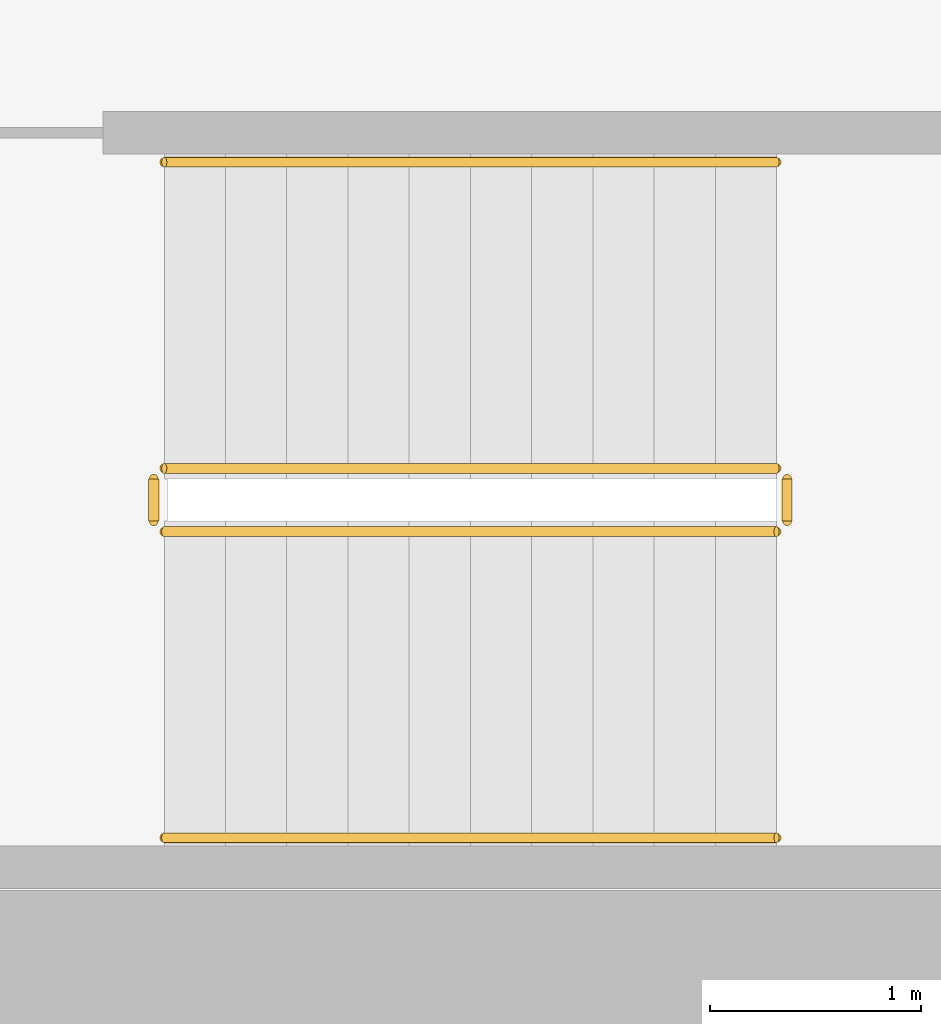
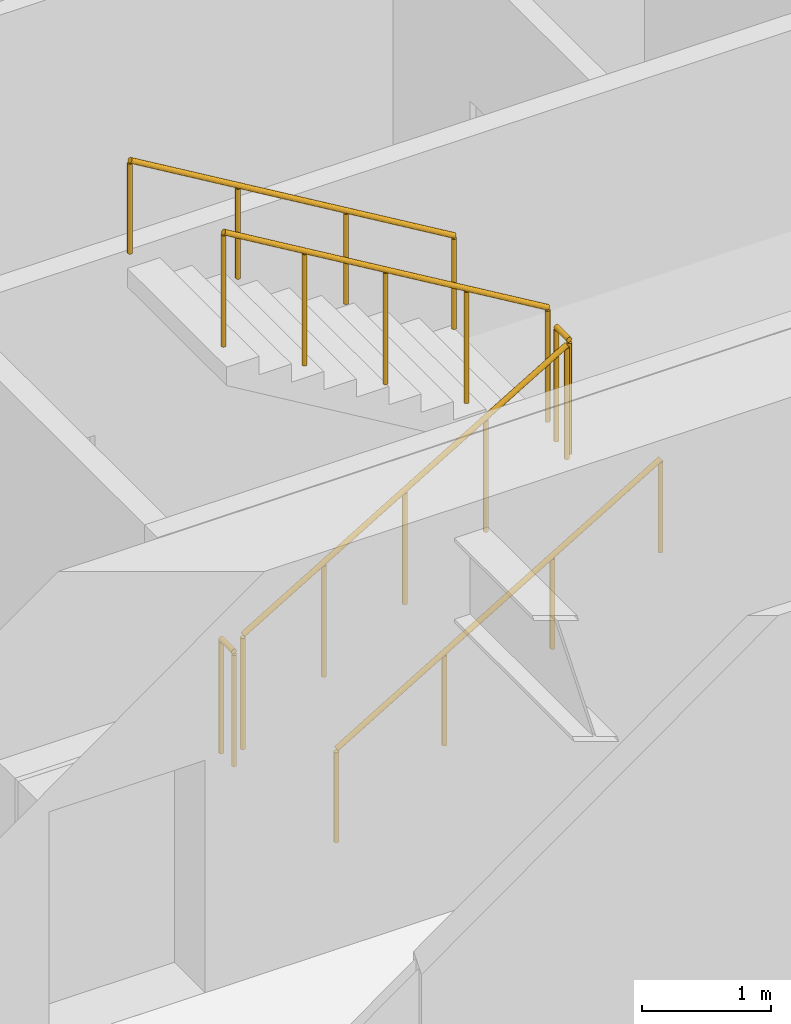
# One storey, part 19 of 20: 6 railings.
"""IFC4 building model written with IfcOpenShell, lengths in metres."""

from ifc_helpers import new_model, si_unit, direction, frame, origin, origin_2d, place, context, subcontext, project, spatial, circle, extrude, material, type_object, element, save


model = new_model("IFC4")

# Units and contexts
model_context = context("Model", 3, precision=1e-05, world=origin(), true_north=direction((0.0, 1.0)))
body_context = subcontext(model_context, "Body", "Model", "MODEL_VIEW")
ifc_project = project(units=[si_unit("LENGTHUNIT", "METRE"), si_unit("AREAUNIT", "SQUARE_METRE"), si_unit("VOLUMEUNIT", "CUBIC_METRE"), si_unit("PLANEANGLEUNIT", "RADIAN"), si_unit("MASSUNIT", "GRAM", prefix="KILO")], contexts=[model_context])

# Site, building, storey
site_placement = place(None, origin())
site = spatial("IfcSite", under=ifc_project, at=site_placement, CompositionType="ELEMENT")
building_placement = place(site_placement, origin())
building = spatial("IfcBuilding", under=site, at=building_placement, Name="Putna Gate Headquarters", CompositionType="ELEMENT")
storey_placement = place(building_placement, frame((0.0, 0.0, 77.199951171875)))
storey = spatial("IfcBuildingStorey", under=building, at=storey_placement, Name="L18", CompositionType="ELEMENT", Elevation=77.199951171875)

# Railings
ifc_material_1 = material(Name="Powder-coated steel stair guardrail", Category="steel")
railing_type_1 = type_object("IfcRailingType", Name="RAIL-STAIR-GUARD-1100", PredefinedType="GUARDRAIL", material=ifc_material_1)
railing_1_placement = place(storey_placement, frame((57.89990234375, 21.10009765625, 0.1728515625)))
element("IfcRailing", 1, at=railing_1_placement, inside=storey, type_object=railing_type_1, Name="L18 ST2 stair guard 1", PredefinedType="GUARDRAIL", context=body_context, shape_type="SweptSolid", body=[
    extrude(circle(Radius=0.02392578125, at=origin_2d()), frame((0.0, 0.0, 1.076171875), z_axis=(0.859160404282, 0.0, 0.51170636083), x_axis=(0.0, 1.0, 0.0)), (0.0, 0.0, 1.0), 3.37548828125),
    extrude(circle(Radius=0.02099609375, at=origin_2d()), origin(), (0.0, 0.0, 1.0), 1.052001953125),
    extrude(circle(Radius=0.02099609375, at=origin_2d()), frame((0.72509765625, 0.0, 0.431884765625)), (0.0, 0.0, 1.0), 1.052001953125),
    extrude(circle(Radius=0.02099609375, at=origin_2d()), frame((1.4501953125, 0.0, 0.86376953125)), (0.0, 0.0, 1.0), 1.052001953125),
    extrude(circle(Radius=0.02099609375, at=origin_2d()), frame((2.175048828125, 0.0, 1.29541015625)), (0.0, 0.0, 1.0), 1.052001953125),
    extrude(circle(Radius=0.02099609375, at=origin_2d()), frame((2.900146484375, 0.0, 1.727294921875)), (0.0, 0.0, 1.0), 1.052001953125),
])
railing_2_placement = place(storey_placement, frame((60.85009765625, 21.14990234375, 1.900146484375)))
element("IfcRailing", 2, at=railing_2_placement, inside=storey, type_object=railing_type_1, Name="L18 ST2 stair guard 2", PredefinedType="GUARDRAIL", context=body_context, shape_type="SweptSolid", body=[
    extrude(circle(Radius=0.02392578125, at=origin_2d()), frame((0.0, 0.0, 1.076171875), z_axis=(0.0, 1.0, 0.0), x_axis=(-1.0, 0.0, 0.0)), (0.0, 0.0, 1.0), 0.2001953125),
    extrude(circle(Radius=0.02099609375, at=origin_2d()), origin(), (0.0, 0.0, 1.0), 1.052001953125),
    extrude(circle(Radius=0.02099609375, at=origin_2d()), frame((0.0, 0.2001953125, 0.0)), (0.0, 0.0, 1.0), 1.052001953125),
])
railing_3_placement = place(storey_placement, frame((60.800048828125, 21.39990234375, 2.07275390625)))
element("IfcRailing", 3, at=railing_3_placement, inside=storey, type_object=railing_type_1, Name="L18 ST2 stair guard 3", PredefinedType="GUARDRAIL", context=body_context, shape_type="SweptSolid", body=[
    extrude(circle(Radius=0.02392578125, at=origin_2d()), frame((0.0, 0.0, 1.076171875), z_axis=(-0.859160404282, 0.0, 0.51170636083), x_axis=(0.0, -1.0, 0.0)), (0.0, 0.0, 1.0), 3.37548828125),
    extrude(circle(Radius=0.02099609375, at=origin_2d()), origin(), (0.0, 0.0, 1.0), 1.052001953125),
    extrude(circle(Radius=0.02099609375, at=origin_2d()), frame((-0.72509765625, 0.0, 0.431884765625)), (0.0, 0.0, 1.0), 1.052001953125),
    extrude(circle(Radius=0.02099609375, at=origin_2d()), frame((-1.4501953125, 0.0, 0.86376953125)), (0.0, 0.0, 1.0), 1.052001953125),
    extrude(circle(Radius=0.02099609375, at=origin_2d()), frame((-2.175048828125, 0.0, 1.29541015625)), (0.0, 0.0, 1.0), 1.052001953125),
    extrude(circle(Radius=0.02099609375, at=origin_2d()), frame((-2.900146484375, 0.0, 1.727294921875)), (0.0, 0.0, 1.0), 1.052001953125),
])
railing_4_placement = place(storey_placement, frame((57.85009765625, 21.14990234375, 0.0)))
element("IfcRailing", 4, at=railing_4_placement, inside=storey, type_object=railing_type_1, Name="L18 ST2 stair guard 4", PredefinedType="GUARDRAIL", context=body_context, shape_type="SweptSolid", body=[
    extrude(circle(Radius=0.02392578125, at=origin_2d()), frame((0.0, 0.0, 1.076171875), z_axis=(0.0, 1.0, 0.0), x_axis=(-1.0, 0.0, 0.0)), (0.0, 0.0, 1.0), 0.2001953125),
    extrude(circle(Radius=0.02099609375, at=origin_2d()), origin(), (0.0, 0.0, 1.0), 1.052001953125),
    extrude(circle(Radius=0.02099609375, at=origin_2d()), frame((0.0, 0.2001953125, 0.0)), (0.0, 0.0, 1.0), 1.052001953125),
])
ifc_material_2 = material(Name="Brushed stainless steel handrail", Category="steel")
railing_type_2 = type_object("IfcRailingType", Name="RAIL-STAIR-HAND-900", PredefinedType="HANDRAIL", material=ifc_material_2)
railing_5_placement = place(storey_placement, frame((57.89990234375, 19.64990234375, 0.1728515625)))
element("IfcRailing", 5, at=railing_5_placement, inside=storey, type_object=railing_type_2, Name="L18 ST2 stair handrail 1", PredefinedType="HANDRAIL", context=body_context, shape_type="SweptSolid", body=[
    extrude(circle(Radius=0.02392578125, at=origin_2d()), frame((0.0, 0.0, 0.8759765625), z_axis=(0.859160404282, 0.0, 0.51170636083), x_axis=(0.0, 1.0, 0.0)), (0.0, 0.0, 1.0), 3.37548828125),
    extrude(circle(Radius=0.02099609375, at=origin_2d()), origin(), (0.0, 0.0, 1.0), 0.851806640625),
    extrude(circle(Radius=0.02099609375, at=origin_2d()), frame((0.966796875, 0.0, 0.57568359375)), (0.0, 0.0, 1.0), 0.851806640625),
    extrude(circle(Radius=0.02099609375, at=origin_2d()), frame((1.933349609375, 0.0, 1.151611328125)), (0.0, 0.0, 1.0), 0.851806640625),
    extrude(circle(Radius=0.02099609375, at=origin_2d()), frame((2.900146484375, 0.0, 1.727294921875)), (0.0, 0.0, 1.0), 0.851806640625),
])
railing_6_placement = place(storey_placement, frame((60.800048828125, 22.85009765625, 2.07275390625)))
element("IfcRailing", 6, at=railing_6_placement, inside=storey, type_object=railing_type_2, Name="L18 ST2 stair handrail 2", PredefinedType="HANDRAIL", context=body_context, shape_type="SweptSolid", body=[
    extrude(circle(Radius=0.02392578125, at=origin_2d()), frame((0.0, 0.0, 0.8759765625), z_axis=(-0.859160404282, 0.0, 0.51170636083), x_axis=(0.0, -1.0, 0.0)), (0.0, 0.0, 1.0), 3.37548828125),
    extrude(circle(Radius=0.02099609375, at=origin_2d()), origin(), (0.0, 0.0, 1.0), 0.851806640625),
    extrude(circle(Radius=0.02099609375, at=origin_2d()), frame((-0.966796875, 0.0, 0.57568359375)), (0.0, 0.0, 1.0), 0.851806640625),
    extrude(circle(Radius=0.02099609375, at=origin_2d()), frame((-1.933349609375, 0.0, 1.151611328125)), (0.0, 0.0, 1.0), 0.851806640625),
    extrude(circle(Radius=0.02099609375, at=origin_2d()), frame((-2.900146484375, 0.0, 1.727294921875)), (0.0, 0.0, 1.0), 0.851806640625),
])

save(model, "model.ifc")
